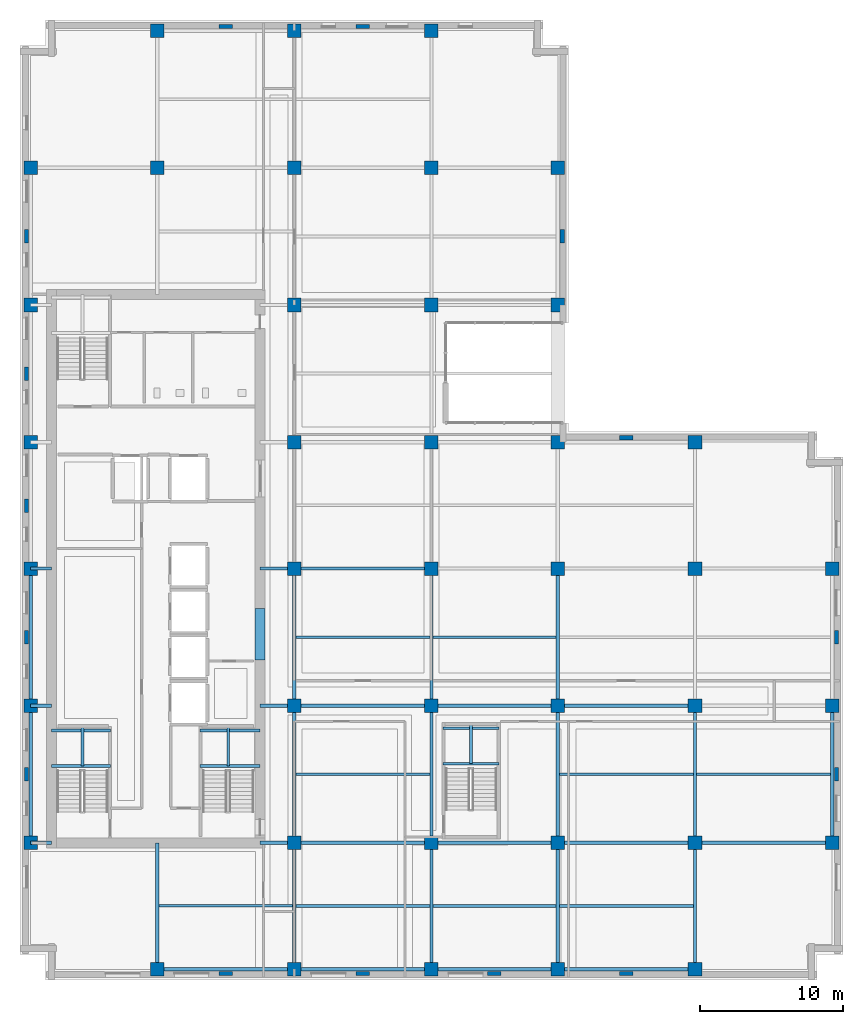
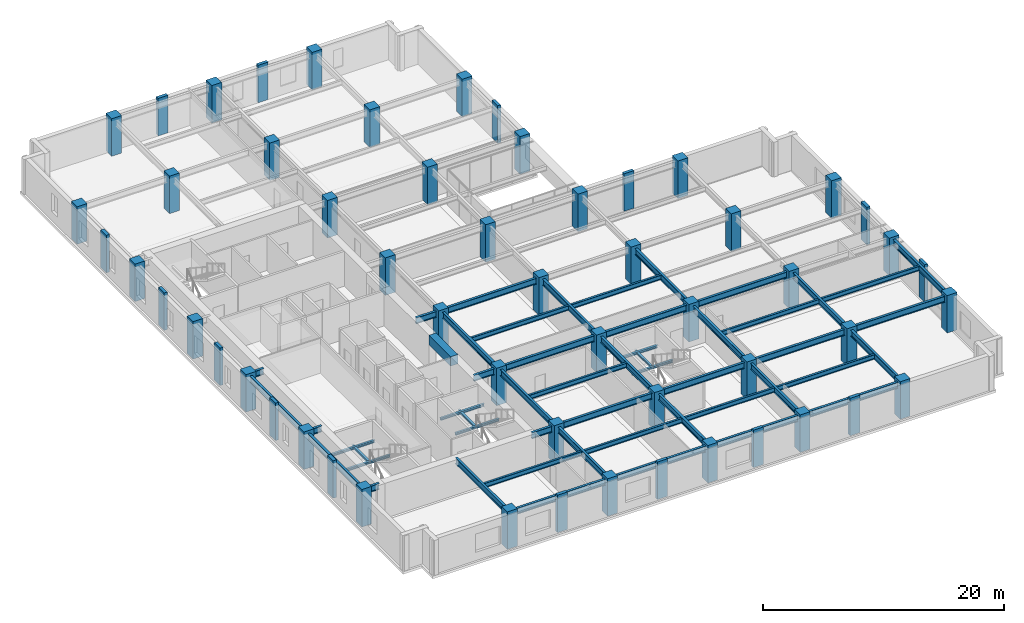
# One storey, part 1 of 13: 55 columns, 52 beams.
"""IFC4 building model written with IfcOpenShell, lengths in metres."""

from ifc_helpers import new_model, si_unit, direction, frame, origin, origin_2d, place, context, subcontext, project, spatial, rectangle, i_section, extrude, material, material_profile, profile_set, type_object, element, save


model = new_model("IFC4")

# Units and contexts
model_context = context("Model", 3, precision=1e-05, world=origin(), true_north=direction((0.0, 1.0)))
body_context = subcontext(model_context, "Body", "Model", "MODEL_VIEW")
ifc_project = project(units=[si_unit("LENGTHUNIT", "METRE"), si_unit("AREAUNIT", "SQUARE_METRE"), si_unit("VOLUMEUNIT", "CUBIC_METRE"), si_unit("PLANEANGLEUNIT", "RADIAN"), si_unit("MASSUNIT", "GRAM", prefix="KILO")], contexts=[model_context])

# Site, building, storey
site_placement = place(None, origin())
site = spatial("IfcSite", under=ifc_project, at=site_placement, CompositionType="ELEMENT")
building_placement = place(site_placement, origin())
building = spatial("IfcBuilding", under=site, at=building_placement, Name="Norrvale University Quadrangle", CompositionType="ELEMENT")
storey_placement = place(building_placement, frame((0.0, 0.0, 171.199951171875)))
storey = spatial("IfcBuildingStorey", under=building, at=storey_placement, Name="L43", CompositionType="ELEMENT", Elevation=171.199951171875)

# Columns
ifc_material_1 = material(Name="Red Manganese Brick Concrete C60/75", Category="concrete")
ifc_material_profile_1 = material_profile(ifc_material_1, rectangle(XDim=0.949951171875, YDim=0.300048828125, at=origin_2d()), Name="Red Manganese Brick Concrete C60/75")
ifc_profile_set_1 = profile_set([ifc_material_profile_1], Name="Red Manganese Brick Concrete C60/75")
column_type_1 = type_object("IfcColumnType", Name="Column Brick Pier 950x300", PredefinedType="PILASTER", material=ifc_profile_set_1)
for number, where, z_axis, x_axis, name in (
    (1, (0.449951171875, 14.39990234375, 0.0), (0.0, 0.0, 1.0), (0.0, 1.0, 0.0), "Exterior Brick Facade Pilaster L43-01"),
    (2, (0.449951171875, 24.0, 0.0), (0.0, 0.0, 1.0), (0.0, 1.0, 0.0), "Exterior Brick Facade Pilaster L43-02"),
    (3, (0.449951171875, 33.199951171875, 0.0), (0.0, 0.0, 1.0), (0.0, 1.0, 0.0), "Exterior Brick Facade Pilaster L43-03"),
    (4, (0.449951171875, 42.449951171875, 0.0), (0.0, 0.0, 1.0), (0.0, 1.0, 0.0), "Exterior Brick Facade Pilaster L43-04"),
    (5, (0.449951171875, 52.050048828125, 0.0), (0.0, 0.0, 1.0), (0.0, 1.0, 0.0), "Exterior Brick Facade Pilaster L43-05"),
    (6, (14.39990234375, 0.449951171875, 0.0), (0.0, 0.0, 1.0), (1.0, 0.0, 0.0), "Exterior Brick Facade Pilaster L43-06"),
    (7, (24.0, 0.449951171875, 0.0), (0.0, 0.0, 1.0), (1.0, 0.0, 0.0), "Exterior Brick Facade Pilaster L43-07"),
    (8, (33.199951171875, 0.449951171875, 0.0), (0.0, 0.0, 1.0), (1.0, 0.0, 0.0), "Exterior Brick Facade Pilaster L43-08"),
    (9, (42.449951171875, 0.449951171875, 0.0), (0.0, 0.0, 1.0), (1.0, 0.0, 0.0), "Exterior Brick Facade Pilaster L43-09"),
    (10, (57.14990234375, 14.39990234375, 0.0), (0.0, 0.0, 1.0), (0.0, 1.0, 0.0), "Exterior Brick Facade Pilaster L43-10"),
    (11, (57.14990234375, 24.0, 0.0), (0.0, 0.0, 1.0), (0.0, 1.0, 0.0), "Exterior Brick Facade Pilaster L43-11"),
    (12, (14.39990234375, 66.75, 0.0), (0.0, 0.0, 1.0), (1.0, 0.0, 0.0), "Exterior Brick Facade Pilaster L43-12"),
    (13, (24.0, 66.75, 0.0), (0.0, 0.0, 1.0), (1.0, 0.0, 0.0), "Exterior Brick Facade Pilaster L43-13"),
    (14, (37.949951171875, 52.050048828125, 0.0), (0.0, 0.0, 1.0), (0.0, 1.0, 0.0), "Exterior Brick Facade Pilaster L43-14"),
    (15, (42.449951171875, 37.949951171875, 0.0), (0.0, 0.0, 1.0), (1.0, 0.0, 0.0), "Exterior Brick Facade Pilaster L43-15"),
):
    element("IfcColumn", number, at=place(storey_placement, frame(where, z_axis=z_axis, x_axis=x_axis)), inside=storey, type_object=column_type_1, Name=name, PredefinedType="PILASTER", context=body_context, shape_type="SweptSolid", body=[
        extrude(rectangle(XDim=0.949951171875, YDim=0.300048828125, at=origin_2d()), origin(), (0.0, 0.0, 1.0), 3.800048828125),
    ])
ifc_material_2 = material(Name="Concrete C60/75", Category="concrete")
ifc_material_profile_2 = material_profile(ifc_material_2, rectangle(XDim=0.949951171875, YDim=0.949951171875, at=origin_2d()), Name="Concrete C60/75")
ifc_profile_set_2 = profile_set([ifc_material_profile_2], Name="Concrete C60/75")
column_type_2 = type_object("IfcColumnType", Name="Column Tower Z2 950x950", PredefinedType="COLUMN", material=ifc_profile_set_2)
for number, where, z_axis, x_axis, name in (
    (16, (0.75, 9.60009765625, 0.0), (0.0, 0.0, 1.0), (1.0, 0.0, 0.0), "Tower Column L43-T01"),
    (17, (0.75, 19.199951171875, 0.0), (0.0, 0.0, 1.0), (1.0, 0.0, 0.0), "Tower Column L43-T02"),
    (18, (0.75, 28.800048828125, 0.0), (0.0, 0.0, 1.0), (1.0, 0.0, 0.0), "Tower Column L43-T03"),
    (19, (0.75, 37.64990234375, 0.0), (0.0, 0.0, 1.0), (1.0, 0.0, 0.0), "Tower Column L43-T04"),
    (20, (0.75, 47.25, 0.0), (0.0, 0.0, 1.0), (1.0, 0.0, 0.0), "Tower Column L43-T05"),
    (21, (0.75, 56.85009765625, 0.0), (0.0, 0.0, 1.0), (1.0, 0.0, 0.0), "Tower Column L43-T06"),
    (22, (9.60009765625, 0.75, 0.0), (0.0, 0.0, 1.0), (1.0, 0.0, 0.0), "Tower Column L43-T07"),
    (23, (9.60009765625, 56.85009765625, 0.0), (0.0, 0.0, 1.0), (1.0, 0.0, 0.0), "Tower Column L43-T08"),
    (24, (9.60009765625, 66.449951171875, 0.0), (0.0, 0.0, 1.0), (1.0, 0.0, 0.0), "Tower Column L43-T09"),
    (25, (19.199951171875, 0.75, 0.0), (0.0, 0.0, 1.0), (1.0, 0.0, 0.0), "Tower Column L43-T10"),
    (26, (19.199951171875, 9.60009765625, 0.0), (0.0, 0.0, 1.0), (1.0, 0.0, 0.0), "Tower Column L43-T11"),
    (27, (19.199951171875, 19.199951171875, 0.0), (0.0, 0.0, 1.0), (1.0, 0.0, 0.0), "Tower Column L43-T12"),
    (28, (19.199951171875, 28.800048828125, 0.0), (0.0, 0.0, 1.0), (1.0, 0.0, 0.0), "Tower Column L43-T13"),
    (29, (19.199951171875, 37.64990234375, 0.0), (0.0, 0.0, 1.0), (1.0, 0.0, 0.0), "Tower Column L43-T14"),
    (30, (19.199951171875, 47.25, 0.0), (0.0, 0.0, 1.0), (1.0, 0.0, 0.0), "Tower Column L43-T15"),
    (31, (19.199951171875, 56.85009765625, 0.0), (0.0, 0.0, 1.0), (1.0, 0.0, 0.0), "Tower Column L43-T16"),
    (32, (19.199951171875, 66.449951171875, 0.0), (0.0, 0.0, 1.0), (1.0, 0.0, 0.0), "Tower Column L43-T17"),
    (33, (28.800048828125, 0.75, 0.0), (0.0, 0.0, 1.0), (1.0, 0.0, 0.0), "Tower Column L43-T18"),
    (34, (28.800048828125, 9.60009765625, 0.0), (0.0, 0.0, 1.0), (1.0, 0.0, 0.0), "Tower Column L43-T19"),
    (35, (28.800048828125, 19.199951171875, 0.0), (0.0, 0.0, 1.0), (1.0, 0.0, 0.0), "Tower Column L43-T20"),
    (36, (28.800048828125, 28.800048828125, 0.0), (0.0, 0.0, 1.0), (1.0, 0.0, 0.0), "Tower Column L43-T21"),
    (37, (28.800048828125, 37.64990234375, 0.0), (0.0, 0.0, 1.0), (1.0, 0.0, 0.0), "Tower Column L43-T22"),
    (38, (28.800048828125, 47.25, 0.0), (0.0, 0.0, 1.0), (1.0, 0.0, 0.0), "Tower Column L43-T23"),
    (39, (28.800048828125, 56.85009765625, 0.0), (0.0, 0.0, 1.0), (1.0, 0.0, 0.0), "Tower Column L43-T24"),
    (40, (28.800048828125, 66.449951171875, 0.0), (0.0, 0.0, 1.0), (1.0, 0.0, 0.0), "Tower Column L43-T25"),
    (41, (37.64990234375, 0.75, 0.0), (0.0, 0.0, 1.0), (1.0, 0.0, 0.0), "Tower Column L43-T26"),
    (42, (37.64990234375, 9.60009765625, 0.0), (0.0, 0.0, 1.0), (1.0, 0.0, 0.0), "Tower Column L43-T27"),
    (43, (37.64990234375, 19.199951171875, 0.0), (0.0, 0.0, 1.0), (1.0, 0.0, 0.0), "Tower Column L43-T28"),
    (44, (37.64990234375, 28.800048828125, 0.0), (0.0, 0.0, 1.0), (1.0, 0.0, 0.0), "Tower Column L43-T29"),
    (45, (37.64990234375, 37.64990234375, 0.0), (0.0, 0.0, 1.0), (1.0, 0.0, 0.0), "Tower Column L43-T30"),
    (46, (37.64990234375, 47.25, 0.0), (0.0, 0.0, 1.0), (1.0, 0.0, 0.0), "Tower Column L43-T31"),
    (47, (37.64990234375, 56.85009765625, 0.0), (0.0, 0.0, 1.0), (1.0, 0.0, 0.0), "Tower Column L43-T32"),
    (48, (47.25, 0.75, 0.0), (0.0, 0.0, 1.0), (1.0, 0.0, 0.0), "Tower Column L43-T33"),
    (49, (47.25, 9.60009765625, 0.0), (0.0, 0.0, 1.0), (1.0, 0.0, 0.0), "Tower Column L43-T34"),
    (50, (47.25, 19.199951171875, 0.0), (0.0, 0.0, 1.0), (1.0, 0.0, 0.0), "Tower Column L43-T35"),
    (51, (47.25, 28.800048828125, 0.0), (0.0, 0.0, 1.0), (1.0, 0.0, 0.0), "Tower Column L43-T36"),
    (52, (47.25, 37.64990234375, 0.0), (0.0, 0.0, 1.0), (1.0, 0.0, 0.0), "Tower Column L43-T37"),
    (53, (56.85009765625, 9.60009765625, 0.0), (0.0, 0.0, 1.0), (1.0, 0.0, 0.0), "Tower Column L43-T38"),
    (54, (56.85009765625, 19.199951171875, 0.0), (0.0, 0.0, 1.0), (1.0, 0.0, 0.0), "Tower Column L43-T39"),
    (55, (56.85009765625, 28.800048828125, 0.0), (0.0, 0.0, 1.0), (1.0, 0.0, 0.0), "Tower Column L43-T40"),
):
    element("IfcColumn", number, at=place(storey_placement, frame(where, z_axis=z_axis, x_axis=x_axis)), inside=storey, type_object=column_type_2, Name=name, PredefinedType="COLUMN", context=body_context, shape_type="SweptSolid", body=[
        extrude(rectangle(XDim=0.949951171875, YDim=0.949951171875, at=origin_2d()), origin(), (0.0, 0.0, 1.0), 3.800048828125),
    ])

# Beams
ifc_material_3 = material(Name="Concrete C80/95", Category="concrete")
ifc_material_profile_3 = material_profile(ifc_material_3, rectangle(XDim=0.699951171875, YDim=0.949951171875, at=origin_2d()), Name="Concrete C80/95")
ifc_profile_set_3 = profile_set([ifc_material_profile_3], Name="Concrete C80/95")
beam_type_1 = type_object("IfcBeamType", Name="Beam Core Link 700x950", PredefinedType="LINTEL", material=ifc_profile_set_3)
beam_1_placement = place(storey_placement, frame((16.800048828125, 22.39990234375, 3.06494140625), z_axis=(0.0, 1.0, 0.0), x_axis=(-1.0, 0.0, 0.0)))
element("IfcBeam", 56, at=beam_1_placement, inside=storey, type_object=beam_type_1, Name="Core Coupling Lintel Beam L43-1", PredefinedType="LINTEL", context=body_context, shape_type="SweptSolid", body=[
    extrude(rectangle(XDim=0.699951171875, YDim=0.949951171875, at=origin_2d()), origin(), (0.0, 0.0, 1.0), 3.60009765625),
])
ifc_material_4 = material(Name="Steel 350W", Category="steel")
ifc_material_profile_4 = material_profile(ifc_material_4, i_section(OverallWidth=0.194091796875, OverallDepth=0.468994140625, WebThickness=0.0126953125, FlangeThickness=0.0205078125, FilletRadius=0.012939453125, at=origin_2d()), Name="Steel 350W")
ifc_profile_set_4 = profile_set([ifc_material_profile_4], Name="Steel 350W")
beam_type_2 = type_object("IfcBeamType", Name="Beam Floor W460x106", PredefinedType="BEAM", material=ifc_profile_set_4)
for number, where, z_axis, x_axis, name in (
    (57, (19.31494140625, 5.175048828125, 3.3056640625), (1.0, 0.0, 0.0), (0.0, 1.0, 0.0), "Beam Floor W460x106 BM-L43-J070"),
    (58, (19.31494140625, 14.39990234375, 3.3056640625), (1.0, 0.0, 0.0), (0.0, 1.0, 0.0), "Beam Floor W460x106 BM-L43-J071"),
    (59, (19.31494140625, 24.0, 3.3056640625), (1.0, 0.0, 0.0), (0.0, 1.0, 0.0), "Beam Floor W460x106 BM-L43-J072"),
):
    element("IfcBeam", number, at=place(storey_placement, frame(where, z_axis=z_axis, x_axis=x_axis)), inside=storey, type_object=beam_type_2, Name=name, PredefinedType="BEAM", context=body_context, shape_type="SweptSolid", body=[
        extrude(i_section(OverallWidth=0.194091796875, OverallDepth=0.468994140625, WebThickness=0.0126953125, FlangeThickness=0.0205078125, FilletRadius=0.012939453125, at=origin_2d()), origin(), (0.0, 0.0, 1.0), 9.3701171875),
    ])
for number, where, z_axis, x_axis, name in (
    (60, (28.9150390625, 5.175048828125, 3.3056640625), (1.0, 0.0, 0.0), (0.0, 1.0, 0.0), "Beam Floor W460x106 BM-L43-J077"),
    (61, (28.9150390625, 24.0, 3.3056640625), (1.0, 0.0, 0.0), (0.0, 1.0, 0.0), "Beam Floor W460x106 BM-L43-J078"),
):
    element("IfcBeam", number, at=place(storey_placement, frame(where, z_axis=z_axis, x_axis=x_axis)), inside=storey, type_object=beam_type_2, Name=name, PredefinedType="BEAM", context=body_context, shape_type="SweptSolid", body=[
        extrude(i_section(OverallWidth=0.194091796875, OverallDepth=0.468994140625, WebThickness=0.0126953125, FlangeThickness=0.0205078125, FilletRadius=0.012939453125, at=origin_2d()), origin(), (0.0, 0.0, 1.0), 8.619873046875),
    ])
for number, where, z_axis, x_axis, name in (
    (62, (37.764892578125, 5.175048828125, 3.3056640625), (1.0, 0.0, 0.0), (0.0, 1.0, 0.0), "Beam Floor W460x106 BM-L43-J082"),
    (63, (37.764892578125, 14.39990234375, 3.3056640625), (1.0, 0.0, 0.0), (0.0, 1.0, 0.0), "Beam Floor W460x106 BM-L43-J083"),
    (64, (47.364990234375, 14.39990234375, 3.3056640625), (1.0, 0.0, 0.0), (0.0, 1.0, 0.0), "Beam Floor W460x106 BM-L43-J086"),
):
    element("IfcBeam", number, at=place(storey_placement, frame(where, z_axis=z_axis, x_axis=x_axis)), inside=storey, type_object=beam_type_2, Name=name, PredefinedType="BEAM", context=body_context, shape_type="SweptSolid", body=[
        extrude(i_section(OverallWidth=0.194091796875, OverallDepth=0.468994140625, WebThickness=0.0126953125, FlangeThickness=0.0205078125, FilletRadius=0.012939453125, at=origin_2d()), origin(), (0.0, 0.0, 1.0), 9.3701171875),
    ])
beam_2_placement = place(storey_placement, frame((9.715087890625, 5.199951171875, 3.3056640625), z_axis=(1.0, 0.0, 0.0), x_axis=(0.0, 1.0, 0.0)))
element("IfcBeam", 65, at=beam_2_placement, inside=storey, type_object=beam_type_2, Name="Beam Floor W460x106 BM-L43-JCS089", PredefinedType="BEAM", context=body_context, shape_type="SweptSolid", body=[
    extrude(i_section(OverallWidth=0.194091796875, OverallDepth=0.468994140625, WebThickness=0.0126953125, FlangeThickness=0.0205078125, FilletRadius=0.012939453125, at=origin_2d()), origin(), (0.0, 0.0, 1.0), 9.369873046875),
])
ifc_material_profile_5 = material_profile(ifc_material_4, i_section(OverallWidth=0.22998046875, OverallDepth=0.616943359375, WebThickness=0.01318359375, FlangeThickness=0.022216796875, FilletRadius=0.01611328125, at=origin_2d()), Name="Steel 350W")
ifc_profile_set_5 = profile_set([ifc_material_profile_5], Name="Steel 350W")
beam_type_3 = type_object("IfcBeamType", Name="Beam Floor W610x140", PredefinedType="BEAM", material=ifc_profile_set_5)
beam_3_placement = place(storey_placement, frame((9.60009765625, 0.75, 3.2314453125), z_axis=(1.0, 0.0, 0.0), x_axis=(0.0, 1.0, 0.0)))
element("IfcBeam", 66, at=beam_3_placement, inside=storey, type_object=beam_type_3, Name="Beam Floor W610x140 BM-L43-GX001", PredefinedType="BEAM", context=body_context, shape_type="SweptSolid", body=[
    extrude(i_section(OverallWidth=0.22998046875, OverallDepth=0.616943359375, WebThickness=0.01318359375, FlangeThickness=0.022216796875, FilletRadius=0.01611328125, at=origin_2d()), origin(), (0.0, 0.0, 1.0), 9.599853515625),
])
beam_4_placement = place(storey_placement, frame((19.199951171875, 0.75, 3.2314453125), z_axis=(1.0, 0.0, 0.0), x_axis=(0.0, 1.0, 0.0)))
element("IfcBeam", 67, at=beam_4_placement, inside=storey, type_object=beam_type_3, Name="Beam Floor W610x140 BM-L43-GX002", PredefinedType="BEAM", context=body_context, shape_type="SweptSolid", body=[
    extrude(i_section(OverallWidth=0.22998046875, OverallDepth=0.616943359375, WebThickness=0.01318359375, FlangeThickness=0.022216796875, FilletRadius=0.01611328125, at=origin_2d()), origin(), (0.0, 0.0, 1.0), 9.60009765625),
])
beam_5_placement = place(storey_placement, frame((28.800048828125, 0.75, 3.2314453125), z_axis=(1.0, 0.0, 0.0), x_axis=(0.0, 1.0, 0.0)))
element("IfcBeam", 68, at=beam_5_placement, inside=storey, type_object=beam_type_3, Name="Beam Floor W610x140 BM-L43-GX003", PredefinedType="BEAM", context=body_context, shape_type="SweptSolid", body=[
    extrude(i_section(OverallWidth=0.22998046875, OverallDepth=0.616943359375, WebThickness=0.01318359375, FlangeThickness=0.022216796875, FilletRadius=0.01611328125, at=origin_2d()), origin(), (0.0, 0.0, 1.0), 8.849853515625),
])
for number, where, z_axis, x_axis, name in (
    (69, (37.64990234375, 0.75, 3.2314453125), (1.0, 0.0, 0.0), (0.0, 1.0, 0.0), "Beam Floor W610x140 BM-L43-GX004"),
    (70, (19.199951171875, 9.60009765625, 3.2314453125), (1.0, 0.0, 0.0), (0.0, 1.0, 0.0), "Beam Floor W610x140 BM-L43-GX005"),
):
    element("IfcBeam", number, at=place(storey_placement, frame(where, z_axis=z_axis, x_axis=x_axis)), inside=storey, type_object=beam_type_3, Name=name, PredefinedType="BEAM", context=body_context, shape_type="SweptSolid", body=[
        extrude(i_section(OverallWidth=0.22998046875, OverallDepth=0.616943359375, WebThickness=0.01318359375, FlangeThickness=0.022216796875, FilletRadius=0.01611328125, at=origin_2d()), origin(), (0.0, 0.0, 1.0), 9.60009765625),
    ])
beam_6_placement = place(storey_placement, frame((28.800048828125, 9.60009765625, 3.2314453125), z_axis=(1.0, 0.0, 0.0), x_axis=(0.0, 1.0, 0.0)))
element("IfcBeam", 71, at=beam_6_placement, inside=storey, type_object=beam_type_3, Name="Beam Floor W610x140 BM-L43-GX006", PredefinedType="BEAM", context=body_context, shape_type="SweptSolid", body=[
    extrude(i_section(OverallWidth=0.22998046875, OverallDepth=0.616943359375, WebThickness=0.01318359375, FlangeThickness=0.022216796875, FilletRadius=0.01611328125, at=origin_2d()), origin(), (0.0, 0.0, 1.0), 8.849853515625),
])
for number, where, z_axis, x_axis, name in (
    (72, (37.64990234375, 9.60009765625, 3.2314453125), (1.0, 0.0, 0.0), (0.0, 1.0, 0.0), "Beam Floor W610x140 BM-L43-GX007"),
    (73, (47.25, 9.60009765625, 3.2314453125), (1.0, 0.0, 0.0), (0.0, 1.0, 0.0), "Beam Floor W610x140 BM-L43-GX008"),
    (74, (19.199951171875, 19.199951171875, 3.2314453125), (1.0, 0.0, 0.0), (0.0, 1.0, 0.0), "Beam Floor W610x140 BM-L43-GX009"),
):
    element("IfcBeam", number, at=place(storey_placement, frame(where, z_axis=z_axis, x_axis=x_axis)), inside=storey, type_object=beam_type_3, Name=name, PredefinedType="BEAM", context=body_context, shape_type="SweptSolid", body=[
        extrude(i_section(OverallWidth=0.22998046875, OverallDepth=0.616943359375, WebThickness=0.01318359375, FlangeThickness=0.022216796875, FilletRadius=0.01611328125, at=origin_2d()), origin(), (0.0, 0.0, 1.0), 9.60009765625),
    ])
beam_7_placement = place(storey_placement, frame((28.800048828125, 19.199951171875, 3.2314453125), z_axis=(1.0, 0.0, 0.0), x_axis=(0.0, 1.0, 0.0)))
element("IfcBeam", 75, at=beam_7_placement, inside=storey, type_object=beam_type_3, Name="Beam Floor W610x140 BM-L43-GX010", PredefinedType="BEAM", context=body_context, shape_type="SweptSolid", body=[
    extrude(i_section(OverallWidth=0.22998046875, OverallDepth=0.616943359375, WebThickness=0.01318359375, FlangeThickness=0.022216796875, FilletRadius=0.01611328125, at=origin_2d()), origin(), (0.0, 0.0, 1.0), 8.849853515625),
])
for number, where, z_axis, x_axis, name in (
    (76, (37.64990234375, 19.199951171875, 3.2314453125), (1.0, 0.0, 0.0), (0.0, 1.0, 0.0), "Beam Floor W610x140 BM-L43-GX011"),
    (77, (19.199951171875, 28.800048828125, 3.2314453125), (1.0, 0.0, 0.0), (0.0, 1.0, 0.0), "Beam Floor W610x140 BM-L43-GX013"),
):
    element("IfcBeam", number, at=place(storey_placement, frame(where, z_axis=z_axis, x_axis=x_axis)), inside=storey, type_object=beam_type_3, Name=name, PredefinedType="BEAM", context=body_context, shape_type="SweptSolid", body=[
        extrude(i_section(OverallWidth=0.22998046875, OverallDepth=0.616943359375, WebThickness=0.01318359375, FlangeThickness=0.022216796875, FilletRadius=0.01611328125, at=origin_2d()), origin(), (0.0, 0.0, 1.0), 9.60009765625),
    ])
beam_8_placement = place(storey_placement, frame((0.75, 9.60009765625, 3.2314453125), z_axis=(0.0, 1.0, 0.0), x_axis=(-1.0, 0.0, 0.0)))
element("IfcBeam", 78, at=beam_8_placement, inside=storey, type_object=beam_type_3, Name="Beam Floor W610x140 BM-L43-GY028", PredefinedType="BEAM", context=body_context, shape_type="SweptSolid", body=[
    extrude(i_section(OverallWidth=0.22998046875, OverallDepth=0.616943359375, WebThickness=0.01318359375, FlangeThickness=0.022216796875, FilletRadius=0.01611328125, at=origin_2d()), origin(), (0.0, 0.0, 1.0), 9.599853515625),
])
beam_9_placement = place(storey_placement, frame((0.75, 19.199951171875, 3.2314453125), z_axis=(0.0, 1.0, 0.0), x_axis=(-1.0, 0.0, 0.0)))
element("IfcBeam", 79, at=beam_9_placement, inside=storey, type_object=beam_type_3, Name="Beam Floor W610x140 BM-L43-GY029", PredefinedType="BEAM", context=body_context, shape_type="SweptSolid", body=[
    extrude(i_section(OverallWidth=0.22998046875, OverallDepth=0.616943359375, WebThickness=0.01318359375, FlangeThickness=0.022216796875, FilletRadius=0.01611328125, at=origin_2d()), origin(), (0.0, 0.0, 1.0), 9.60009765625),
])
beam_10_placement = place(storey_placement, frame((19.199951171875, 0.75, 3.2314453125), z_axis=(0.0, 1.0, 0.0), x_axis=(-1.0, 0.0, 0.0)))
element("IfcBeam", 80, at=beam_10_placement, inside=storey, type_object=beam_type_3, Name="Beam Floor W610x140 BM-L43-GY034", PredefinedType="BEAM", context=body_context, shape_type="SweptSolid", body=[
    extrude(i_section(OverallWidth=0.22998046875, OverallDepth=0.616943359375, WebThickness=0.01318359375, FlangeThickness=0.022216796875, FilletRadius=0.01611328125, at=origin_2d()), origin(), (0.0, 0.0, 1.0), 8.85009765625),
])
beam_11_placement = place(storey_placement, frame((19.199951171875, 9.60009765625, 3.2314453125), z_axis=(0.0, 1.0, 0.0), x_axis=(-1.0, 0.0, 0.0)))
element("IfcBeam", 81, at=beam_11_placement, inside=storey, type_object=beam_type_3, Name="Beam Floor W610x140 BM-L43-GY035", PredefinedType="BEAM", context=body_context, shape_type="SweptSolid", body=[
    extrude(i_section(OverallWidth=0.22998046875, OverallDepth=0.616943359375, WebThickness=0.01318359375, FlangeThickness=0.022216796875, FilletRadius=0.01611328125, at=origin_2d()), origin(), (0.0, 0.0, 1.0), 9.599853515625),
])
beam_12_placement = place(storey_placement, frame((19.199951171875, 19.199951171875, 3.2314453125), z_axis=(0.0, 1.0, 0.0), x_axis=(-1.0, 0.0, 0.0)))
element("IfcBeam", 82, at=beam_12_placement, inside=storey, type_object=beam_type_3, Name="Beam Floor W610x140 BM-L43-GY036", PredefinedType="BEAM", context=body_context, shape_type="SweptSolid", body=[
    extrude(i_section(OverallWidth=0.22998046875, OverallDepth=0.616943359375, WebThickness=0.01318359375, FlangeThickness=0.022216796875, FilletRadius=0.01611328125, at=origin_2d()), origin(), (0.0, 0.0, 1.0), 9.60009765625),
])
beam_13_placement = place(storey_placement, frame((28.800048828125, 0.75, 3.2314453125), z_axis=(0.0, 1.0, 0.0), x_axis=(-1.0, 0.0, 0.0)))
element("IfcBeam", 83, at=beam_13_placement, inside=storey, type_object=beam_type_3, Name="Beam Floor W610x140 BM-L43-GY041", PredefinedType="BEAM", context=body_context, shape_type="SweptSolid", body=[
    extrude(i_section(OverallWidth=0.22998046875, OverallDepth=0.616943359375, WebThickness=0.01318359375, FlangeThickness=0.022216796875, FilletRadius=0.01611328125, at=origin_2d()), origin(), (0.0, 0.0, 1.0), 8.85009765625),
])
beam_14_placement = place(storey_placement, frame((28.800048828125, 9.60009765625, 3.2314453125), z_axis=(0.0, 1.0, 0.0), x_axis=(-1.0, 0.0, 0.0)))
element("IfcBeam", 84, at=beam_14_placement, inside=storey, type_object=beam_type_3, Name="Beam Floor W610x140 BM-L43-GY042", PredefinedType="BEAM", context=body_context, shape_type="SweptSolid", body=[
    extrude(i_section(OverallWidth=0.22998046875, OverallDepth=0.616943359375, WebThickness=0.01318359375, FlangeThickness=0.022216796875, FilletRadius=0.01611328125, at=origin_2d()), origin(), (0.0, 0.0, 1.0), 9.599853515625),
])
beam_15_placement = place(storey_placement, frame((28.800048828125, 19.199951171875, 3.2314453125), z_axis=(0.0, 1.0, 0.0), x_axis=(-1.0, 0.0, 0.0)))
element("IfcBeam", 85, at=beam_15_placement, inside=storey, type_object=beam_type_3, Name="Beam Floor W610x140 BM-L43-GY043", PredefinedType="BEAM", context=body_context, shape_type="SweptSolid", body=[
    extrude(i_section(OverallWidth=0.22998046875, OverallDepth=0.616943359375, WebThickness=0.01318359375, FlangeThickness=0.022216796875, FilletRadius=0.01611328125, at=origin_2d()), origin(), (0.0, 0.0, 1.0), 9.60009765625),
])
beam_16_placement = place(storey_placement, frame((37.64990234375, 0.75, 3.2314453125), z_axis=(0.0, 1.0, 0.0), x_axis=(-1.0, 0.0, 0.0)))
element("IfcBeam", 86, at=beam_16_placement, inside=storey, type_object=beam_type_3, Name="Beam Floor W610x140 BM-L43-GY048", PredefinedType="BEAM", context=body_context, shape_type="SweptSolid", body=[
    extrude(i_section(OverallWidth=0.22998046875, OverallDepth=0.616943359375, WebThickness=0.01318359375, FlangeThickness=0.022216796875, FilletRadius=0.01611328125, at=origin_2d()), origin(), (0.0, 0.0, 1.0), 8.85009765625),
])
beam_17_placement = place(storey_placement, frame((37.64990234375, 9.60009765625, 3.2314453125), z_axis=(0.0, 1.0, 0.0), x_axis=(-1.0, 0.0, 0.0)))
element("IfcBeam", 87, at=beam_17_placement, inside=storey, type_object=beam_type_3, Name="Beam Floor W610x140 BM-L43-GY049", PredefinedType="BEAM", context=body_context, shape_type="SweptSolid", body=[
    extrude(i_section(OverallWidth=0.22998046875, OverallDepth=0.616943359375, WebThickness=0.01318359375, FlangeThickness=0.022216796875, FilletRadius=0.01611328125, at=origin_2d()), origin(), (0.0, 0.0, 1.0), 9.599853515625),
])
beam_18_placement = place(storey_placement, frame((37.64990234375, 19.199951171875, 3.2314453125), z_axis=(0.0, 1.0, 0.0), x_axis=(-1.0, 0.0, 0.0)))
element("IfcBeam", 88, at=beam_18_placement, inside=storey, type_object=beam_type_3, Name="Beam Floor W610x140 BM-L43-GY050", PredefinedType="BEAM", context=body_context, shape_type="SweptSolid", body=[
    extrude(i_section(OverallWidth=0.22998046875, OverallDepth=0.616943359375, WebThickness=0.01318359375, FlangeThickness=0.022216796875, FilletRadius=0.01611328125, at=origin_2d()), origin(), (0.0, 0.0, 1.0), 9.60009765625),
])
beam_19_placement = place(storey_placement, frame((47.25, 0.75, 3.2314453125), z_axis=(0.0, 1.0, 0.0), x_axis=(-1.0, 0.0, 0.0)))
element("IfcBeam", 89, at=beam_19_placement, inside=storey, type_object=beam_type_3, Name="Beam Floor W610x140 BM-L43-GY053", PredefinedType="BEAM", context=body_context, shape_type="SweptSolid", body=[
    extrude(i_section(OverallWidth=0.22998046875, OverallDepth=0.616943359375, WebThickness=0.01318359375, FlangeThickness=0.022216796875, FilletRadius=0.01611328125, at=origin_2d()), origin(), (0.0, 0.0, 1.0), 8.85009765625),
])
for number, where, z_axis, x_axis, name in (
    (90, (47.25, 9.60009765625, 3.2314453125), (0.0, 1.0, 0.0), (-1.0, 0.0, 0.0), "Beam Floor W610x140 BM-L43-GY054"),
    (91, (56.85009765625, 9.60009765625, 3.2314453125), (0.0, 1.0, 0.0), (-1.0, 0.0, 0.0), "Beam Floor W610x140 BM-L43-GY057"),
):
    element("IfcBeam", number, at=place(storey_placement, frame(where, z_axis=z_axis, x_axis=x_axis)), inside=storey, type_object=beam_type_3, Name=name, PredefinedType="BEAM", context=body_context, shape_type="SweptSolid", body=[
        extrude(i_section(OverallWidth=0.22998046875, OverallDepth=0.616943359375, WebThickness=0.01318359375, FlangeThickness=0.022216796875, FilletRadius=0.01611328125, at=origin_2d()), origin(), (0.0, 0.0, 1.0), 9.599853515625),
    ])
beam_20_placement = place(storey_placement, frame((0.75, 9.60009765625, 3.2314453125), z_axis=(1.0, 0.0, 0.0), x_axis=(0.0, 1.0, 0.0)))
element("IfcBeam", 92, at=beam_20_placement, inside=storey, type_object=beam_type_3, Name="Beam Floor W610x140 BM-L43-GCW059", PredefinedType="BEAM", context=body_context, shape_type="SweptSolid", body=[
    extrude(i_section(OverallWidth=0.22998046875, OverallDepth=0.616943359375, WebThickness=0.01318359375, FlangeThickness=0.022216796875, FilletRadius=0.01611328125, at=origin_2d()), origin(), (0.0, 0.0, 1.0), 1.449951171875),
])
beam_21_placement = place(storey_placement, frame((16.800048828125, 9.60009765625, 3.2314453125), z_axis=(1.0, 0.0, 0.0), x_axis=(0.0, 1.0, 0.0)))
element("IfcBeam", 93, at=beam_21_placement, inside=storey, type_object=beam_type_3, Name="Beam Floor W610x140 BM-L43-GCE060", PredefinedType="BEAM", context=body_context, shape_type="SweptSolid", body=[
    extrude(i_section(OverallWidth=0.22998046875, OverallDepth=0.616943359375, WebThickness=0.01318359375, FlangeThickness=0.022216796875, FilletRadius=0.01611328125, at=origin_2d()), origin(), (0.0, 0.0, 1.0), 2.39990234375),
])
beam_22_placement = place(storey_placement, frame((0.75, 19.199951171875, 3.2314453125), z_axis=(1.0, 0.0, 0.0), x_axis=(0.0, 1.0, 0.0)))
element("IfcBeam", 94, at=beam_22_placement, inside=storey, type_object=beam_type_3, Name="Beam Floor W610x140 BM-L43-GCW061", PredefinedType="BEAM", context=body_context, shape_type="SweptSolid", body=[
    extrude(i_section(OverallWidth=0.22998046875, OverallDepth=0.616943359375, WebThickness=0.01318359375, FlangeThickness=0.022216796875, FilletRadius=0.01611328125, at=origin_2d()), origin(), (0.0, 0.0, 1.0), 1.449951171875),
])
beam_23_placement = place(storey_placement, frame((16.800048828125, 19.199951171875, 3.2314453125), z_axis=(1.0, 0.0, 0.0), x_axis=(0.0, 1.0, 0.0)))
element("IfcBeam", 95, at=beam_23_placement, inside=storey, type_object=beam_type_3, Name="Beam Floor W610x140 BM-L43-GCE062", PredefinedType="BEAM", context=body_context, shape_type="SweptSolid", body=[
    extrude(i_section(OverallWidth=0.22998046875, OverallDepth=0.616943359375, WebThickness=0.01318359375, FlangeThickness=0.022216796875, FilletRadius=0.01611328125, at=origin_2d()), origin(), (0.0, 0.0, 1.0), 2.39990234375),
])
beam_24_placement = place(storey_placement, frame((0.75, 28.800048828125, 3.2314453125), z_axis=(1.0, 0.0, 0.0), x_axis=(0.0, 1.0, 0.0)))
element("IfcBeam", 96, at=beam_24_placement, inside=storey, type_object=beam_type_3, Name="Beam Floor W610x140 BM-L43-GCW063", PredefinedType="BEAM", context=body_context, shape_type="SweptSolid", body=[
    extrude(i_section(OverallWidth=0.22998046875, OverallDepth=0.616943359375, WebThickness=0.01318359375, FlangeThickness=0.022216796875, FilletRadius=0.01611328125, at=origin_2d()), origin(), (0.0, 0.0, 1.0), 1.449951171875),
])
beam_25_placement = place(storey_placement, frame((16.800048828125, 28.800048828125, 3.2314453125), z_axis=(1.0, 0.0, 0.0), x_axis=(0.0, 1.0, 0.0)))
element("IfcBeam", 97, at=beam_25_placement, inside=storey, type_object=beam_type_3, Name="Beam Floor W610x140 BM-L43-GCE064", PredefinedType="BEAM", context=body_context, shape_type="SweptSolid", body=[
    extrude(i_section(OverallWidth=0.22998046875, OverallDepth=0.616943359375, WebThickness=0.01318359375, FlangeThickness=0.022216796875, FilletRadius=0.01611328125, at=origin_2d()), origin(), (0.0, 0.0, 1.0), 2.39990234375),
])
beam_26_placement = place(storey_placement, frame((9.60009765625, 0.75, 3.2314453125), z_axis=(0.0, 1.0, 0.0), x_axis=(-1.0, 0.0, 0.0)))
element("IfcBeam", 98, at=beam_26_placement, inside=storey, type_object=beam_type_3, Name="Beam Floor W610x140 BM-L43-GCS088", PredefinedType="BEAM", context=body_context, shape_type="SweptSolid", body=[
    extrude(i_section(OverallWidth=0.22998046875, OverallDepth=0.616943359375, WebThickness=0.01318359375, FlangeThickness=0.022216796875, FilletRadius=0.01611328125, at=origin_2d()), origin(), (0.0, 0.0, 1.0), 8.85009765625),
])
ifc_material_profile_6 = material_profile(ifc_material_4, i_section(OverallWidth=0.201904296875, OverallDepth=0.2470703125, WebThickness=0.00732421875, FlangeThickness=0.010986328125, FilletRadius=0.011962890625, at=origin_2d()), Name="Steel 350W")
ifc_profile_set_6 = profile_set([ifc_material_profile_6], Name="Steel 350W")
beam_type_4 = type_object("IfcBeamType", Name="Beam Stair W250x49", PredefinedType="BEAM", material=ifc_profile_set_6)
for number, where, z_axis, x_axis, name in (
    (99, (2.199951171875, 14.989990234375, 1.57666015625), (1.0, 0.0, 0.0), (0.0, 1.0, 0.0), "Stair Mid-Landing Front Beam ST-01 L43"),
    (100, (2.199951171875, 17.469970703125, 1.57666015625), (1.0, 0.0, 0.0), (0.0, 1.0, 0.0), "Stair Mid-Landing Rear Beam ST-01 L43"),
):
    element("IfcBeam", number, at=place(storey_placement, frame(where, z_axis=z_axis, x_axis=x_axis)), inside=storey, type_object=beam_type_4, Name=name, PredefinedType="BEAM", context=body_context, shape_type="SweptSolid", body=[
        extrude(i_section(OverallWidth=0.201904296875, OverallDepth=0.2470703125, WebThickness=0.00732421875, FlangeThickness=0.010986328125, FilletRadius=0.011962890625, at=origin_2d()), origin(), (0.0, 0.0, 1.0), 4.14013671875),
    ])
for number, where, z_axis, x_axis, name in (
    (101, (12.610107421875, 14.989990234375, 1.57666015625), (1.0, 0.0, 0.0), (0.0, 1.0, 0.0), "Stair Mid-Landing Front Beam ST-03 L43"),
    (102, (12.610107421875, 17.469970703125, 1.57666015625), (1.0, 0.0, 0.0), (0.0, 1.0, 0.0), "Stair Mid-Landing Rear Beam ST-03 L43"),
):
    element("IfcBeam", number, at=place(storey_placement, frame(where, z_axis=z_axis, x_axis=x_axis)), inside=storey, type_object=beam_type_4, Name=name, PredefinedType="BEAM", context=body_context, shape_type="SweptSolid", body=[
        extrude(i_section(OverallWidth=0.201904296875, OverallDepth=0.2470703125, WebThickness=0.00732421875, FlangeThickness=0.010986328125, FilletRadius=0.011962890625, at=origin_2d()), origin(), (0.0, 0.0, 1.0), 4.18994140625),
    ])
for number, where, z_axis, x_axis, name in (
    (103, (29.610107421875, 15.139892578125, 1.57666015625), (1.0, 0.0, 0.0), (0.0, 1.0, 0.0), "Stair Mid-Landing Front Beam ST-04 L43"),
    (104, (29.610107421875, 17.6201171875, 1.57666015625), (1.0, 0.0, 0.0), (0.0, 1.0, 0.0), "Stair Mid-Landing Rear Beam ST-04 L43"),
):
    element("IfcBeam", number, at=place(storey_placement, frame(where, z_axis=z_axis, x_axis=x_axis)), inside=storey, type_object=beam_type_4, Name=name, PredefinedType="BEAM", context=body_context, shape_type="SweptSolid", body=[
        extrude(i_section(OverallWidth=0.201904296875, OverallDepth=0.2470703125, WebThickness=0.00732421875, FlangeThickness=0.010986328125, FilletRadius=0.011962890625, at=origin_2d()), origin(), (0.0, 0.0, 1.0), 3.929931640625),
    ])
ifc_material_profile_7 = material_profile(ifc_material_4, i_section(OverallWidth=0.202880859375, OverallDepth=0.202880859375, WebThickness=0.007080078125, FlangeThickness=0.010986328125, FilletRadius=0.010009765625, at=origin_2d()), Name="Steel 350W")
ifc_profile_set_7 = profile_set([ifc_material_profile_7], Name="Steel 350W")
beam_type_5 = type_object("IfcBeamType", Name="Beam Trim W200x46", PredefinedType="BEAM", material=ifc_profile_set_7)
for number, where, z_axis, x_axis, name in (
    (105, (4.375, 14.989990234375, 1.5986328125), (0.0, 1.0, 0.0), (-1.0, 0.0, 0.0), "Stair Mid-Landing Cross Beam ST-01 L43"),
    (106, (14.574951171875, 14.989990234375, 1.5986328125), (0.0, 1.0, 0.0), (-1.0, 0.0, 0.0), "Stair Mid-Landing Cross Beam ST-03 L43"),
    (107, (31.574951171875, 15.139892578125, 1.5986328125), (0.0, 1.0, 0.0), (-1.0, 0.0, 0.0), "Stair Mid-Landing Cross Beam ST-04 L43"),
):
    element("IfcBeam", number, at=place(storey_placement, frame(where, z_axis=z_axis, x_axis=x_axis)), inside=storey, type_object=beam_type_5, Name=name, PredefinedType="BEAM", context=body_context, shape_type="SweptSolid", body=[
        extrude(i_section(OverallWidth=0.202880859375, OverallDepth=0.202880859375, WebThickness=0.007080078125, FlangeThickness=0.010986328125, FilletRadius=0.010009765625, at=origin_2d()), origin(), (0.0, 0.0, 1.0), 2.800048828125),
    ])

save(model, "model.ifc")
